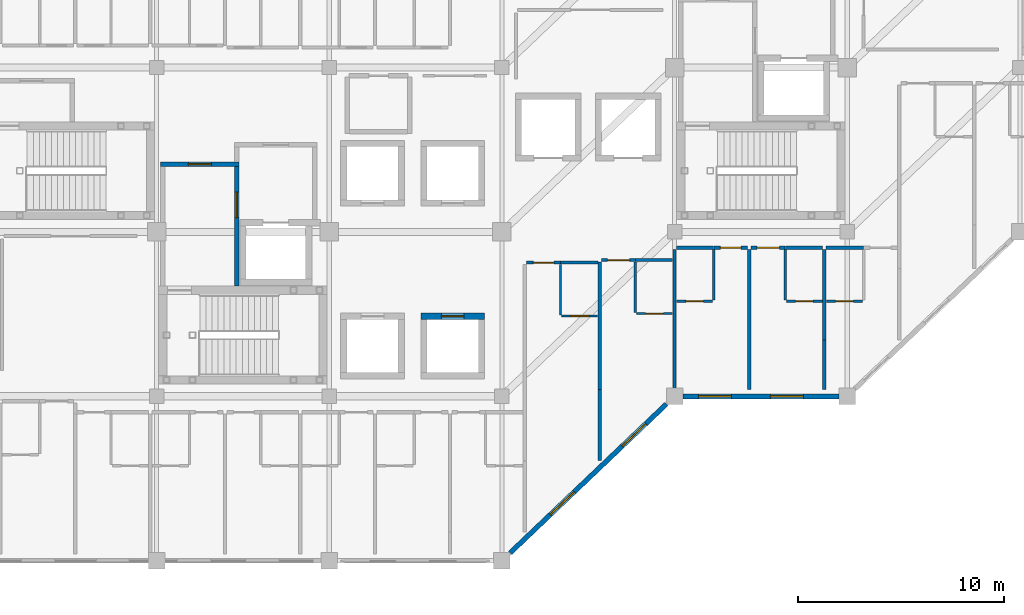
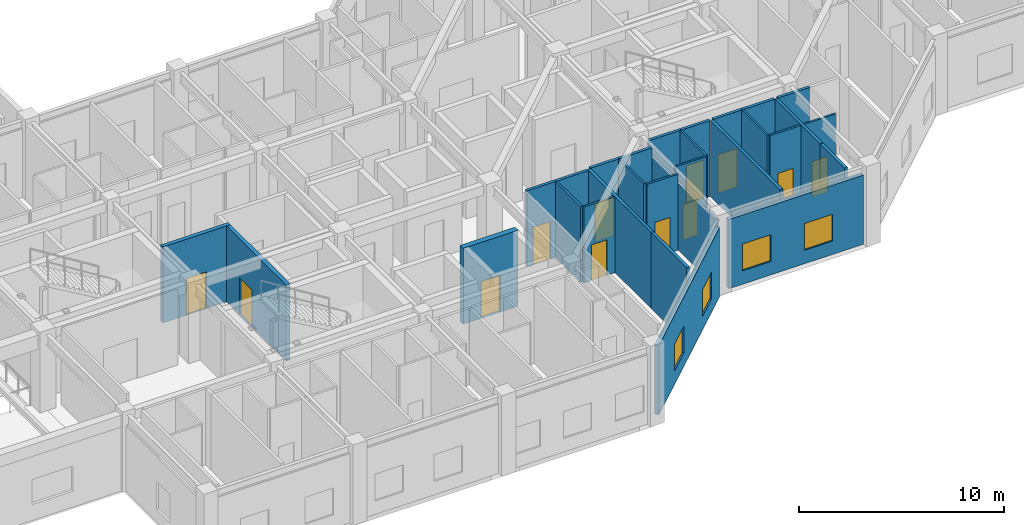
# One storey, part 59 of 76: 29 walls, 12 doors, 4 windows, 16 openings.
"""IFC4 building model written with IfcOpenShell, lengths in metres."""

from ifc_helpers import new_model, si_unit, direction, frame, frame_2d, origin, place, context, subcontext, project, spatial, rectangle, extrude, material, layer, layer_set, type_object, element, fill, save


model = new_model("IFC4")

# Units and contexts
model_context = context("Model", 3, precision=1e-05, world=origin(), true_north=direction((0.0, 1.0)))
body_context = subcontext(model_context, "Body", "Model", "MODEL_VIEW")
ifc_project = project(units=[si_unit("LENGTHUNIT", "METRE"), si_unit("AREAUNIT", "SQUARE_METRE"), si_unit("VOLUMEUNIT", "CUBIC_METRE"), si_unit("PLANEANGLEUNIT", "RADIAN"), si_unit("MASSUNIT", "GRAM", prefix="KILO")], contexts=[model_context])

# Site, building, storey
site_placement = place(None, origin())
site = spatial("IfcSite", under=ifc_project, at=site_placement, CompositionType="ELEMENT")
building_placement = place(site_placement, origin())
building = spatial("IfcBuilding", under=site, at=building_placement, Name="Naruveol Harbour Congress Hotel", CompositionType="ELEMENT")
storey_placement = place(building_placement, frame((0.0, 0.0, 11.39990234375)))
storey = spatial("IfcBuildingStorey", under=building, at=storey_placement, Name="L02", CompositionType="ELEMENT", Elevation=11.39990234375)

# Wall
ifc_material_1 = material(Name="Moisture-Resistant Gypsum Partition", Category="gypsum")
ifc_layer_1 = layer(ifc_material_1, 0.114990234375)
ifc_layer_set_1 = layer_set([ifc_layer_1], Name="Moisture-Resistant Gypsum Partition")
wall_type_1 = type_object("IfcWallType", Name="BATHROOM MOISTURE PARTITION WALL 115", PredefinedType="PARTITIONING", material=ifc_layer_set_1)
wall_1_placement = place(storey_placement, frame((145.64990234375, 11.969970703125, 0.0), z_axis=(0.0, 0.0, 1.0), x_axis=(0.0, 1.0, 0.0)))
element("IfcWall", 1, at=wall_1_placement, inside=storey, type_object=wall_type_1, Name="Bathroom west wall 0308 PW-115", PredefinedType="PARTITIONING", context=body_context, shape_type="SweptSolid", body=[
    extrude(rectangle(XDim=2.449951171875, YDim=0.114990234375, at=frame_2d((1.22509765625, 0.0))), origin(), (0.0, 0.0, 1.0), 4.53515625),
])

# Wall, opening, door
wall_2_placement = place(storey_placement, frame((145.7099609375, 11.909912109375, 0.0), z_axis=(0.0, 0.0, 1.0), x_axis=(1.0, 0.0, 0.0)))
wall_2 = element("IfcWall", 2, at=wall_2_placement, inside=storey, type_object=wall_type_1, Name="Bathroom south wall 0308 PW-115", PredefinedType="PARTITIONING", context=body_context, shape_type="SweptSolid", body=[
    extrude(rectangle(XDim=1.75, YDim=0.114990234375, at=frame_2d((0.875, 0.0))), origin(), (0.0, 0.0, 1.0), 4.53515625),
])
opening_1_placement = place(wall_2_placement, frame((0.445068359375, 0.0, 0.0)))
opening_1 = element("IfcOpeningElement", 3, at=opening_1_placement, cuts=wall_2, Name="Opening BD-RM0308", PredefinedType="OPENING", context=body_context, shape_type="SweptSolid", body=[
    extrude(rectangle(XDim=0.860107421875, YDim=2.1201171875, at=frame_2d((0.43017578125, 1.06005859375))), frame((0.0, 0.0673828125, 0.0), z_axis=(0.0, -1.0, 0.0), x_axis=(1.0, 0.0, 0.0)), (0.0, 0.0, 1.0), 0.135009765625),
])
ifc_material_2 = material(Name="Timber & Steel Acoustic Leaf", Category="steel")
door_type_1 = type_object("IfcDoorType", Name="GUEST BATHROOM DOOR 860X2120", OperationType="NOTDEFINED", PredefinedType="DOOR", material=ifc_material_2)
door_1_placement = place(opening_1_placement, origin())
door_1 = element("IfcDoor", 4, at=door_1_placement, inside=storey, type_object=door_type_1, Name="Bathroom Door 0308", OperationType="SINGLE_SWING_RIGHT", OverallHeight=2.1201171875, OverallWidth=0.860107421875, PredefinedType="DOOR", context=body_context, shape_type="SweptSolid", body=[
    extrude(rectangle(XDim=0.860107421875, YDim=2.1201171875, at=frame_2d((0.43017578125, 1.06005859375))), frame((0.0, 0.02490234375, 0.0), z_axis=(0.0, -1.0, 0.0), x_axis=(1.0, 0.0, 0.0)), (0.0, 0.0, 1.0), 0.050048828125),
])
fill(opening_1, door_1)

# Wall
wall_3_placement = place(storey_placement, frame((149.2900390625, 12.090087890625, 0.0), z_axis=(0.0, 0.0, 1.0), x_axis=(0.0, 1.0, 0.0)))
element("IfcWall", 5, at=wall_3_placement, inside=storey, type_object=wall_type_1, Name="Bathroom west wall 0309 PW-115", PredefinedType="PARTITIONING", context=body_context, shape_type="SweptSolid", body=[
    extrude(rectangle(XDim=2.449951171875, YDim=0.114990234375, at=frame_2d((1.22509765625, 0.0))), origin(), (0.0, 0.0, 1.0), 4.53515625),
])

# Wall, opening, door
wall_4_placement = place(storey_placement, frame((149.35009765625, 12.030029296875, 0.0), z_axis=(0.0, 0.0, 1.0), x_axis=(1.0, 0.0, 0.0)))
wall_4 = element("IfcWall", 6, at=wall_4_placement, inside=storey, type_object=wall_type_1, Name="Bathroom south wall 0309 PW-115", PredefinedType="PARTITIONING", context=body_context, shape_type="SweptSolid", body=[
    extrude(rectangle(XDim=1.75, YDim=0.114990234375, at=frame_2d((0.875, 0.0))), origin(), (0.0, 0.0, 1.0), 4.53515625),
])
opening_2_placement = place(wall_4_placement, frame((0.445068359375, 0.0, 0.0)))
opening_2 = element("IfcOpeningElement", 7, at=opening_2_placement, cuts=wall_4, Name="Opening BD-RM0309", PredefinedType="OPENING", context=body_context, shape_type="SweptSolid", body=[
    extrude(rectangle(XDim=0.860107421875, YDim=2.1201171875, at=frame_2d((0.43017578125, 1.06005859375))), frame((0.0, 0.0673828125, 0.0), z_axis=(0.0, -1.0, 0.0), x_axis=(1.0, 0.0, 0.0)), (0.0, 0.0, 1.0), 0.135009765625),
])
door_2_placement = place(opening_2_placement, origin())
door_2 = element("IfcDoor", 8, at=door_2_placement, inside=storey, type_object=door_type_1, Name="Bathroom Door 0309", OperationType="SINGLE_SWING_RIGHT", OverallHeight=2.1201171875, OverallWidth=0.860107421875, PredefinedType="DOOR", context=body_context, shape_type="SweptSolid", body=[
    extrude(rectangle(XDim=0.860107421875, YDim=2.1201171875, at=frame_2d((0.43017578125, 1.06005859375))), frame((0.0, 0.02490234375, 0.0), z_axis=(0.0, -1.0, 0.0), x_axis=(1.0, 0.0, 0.0)), (0.0, 0.0, 1.0), 0.050048828125),
])
fill(opening_2, door_2)

# Wall
wall_5_placement = place(storey_placement, frame((153.110107421875, 12.68994140625, 0.0), z_axis=(0.0, 0.0, 1.0), x_axis=(0.0, 1.0, 0.0)))
element("IfcWall", 9, at=wall_5_placement, inside=storey, type_object=wall_type_1, Name="Bathroom east wall 0310 PW-115", PredefinedType="PARTITIONING", context=body_context, shape_type="SweptSolid", body=[
    extrude(rectangle(XDim=2.449951171875, YDim=0.114990234375, at=frame_2d((1.22509765625, 0.0))), origin(), (0.0, 0.0, 1.0), 4.53515625),
])

# Wall, opening, door
wall_6_placement = place(storey_placement, frame((151.300048828125, 12.6298828125, 0.0), z_axis=(0.0, 0.0, 1.0), x_axis=(1.0, 0.0, 0.0)))
wall_6 = element("IfcWall", 10, at=wall_6_placement, inside=storey, type_object=wall_type_1, Name="Bathroom south wall 0310 PW-115", PredefinedType="PARTITIONING", context=body_context, shape_type="SweptSolid", body=[
    extrude(rectangle(XDim=1.75, YDim=0.114990234375, at=frame_2d((0.875, 0.0))), origin(), (0.0, 0.0, 1.0), 4.53515625),
])
opening_3_placement = place(wall_6_placement, frame((0.445068359375, 0.0, 0.0)))
opening_3 = element("IfcOpeningElement", 11, at=opening_3_placement, cuts=wall_6, Name="Opening BD-RM0310", PredefinedType="OPENING", context=body_context, shape_type="SweptSolid", body=[
    extrude(rectangle(XDim=0.860107421875, YDim=2.1201171875, at=frame_2d((0.43017578125, 1.06005859375))), frame((0.0, 0.0673828125, 0.0), z_axis=(0.0, -1.0, 0.0), x_axis=(1.0, 0.0, 0.0)), (0.0, 0.0, 1.0), 0.135009765625),
])
door_3_placement = place(opening_3_placement, origin())
door_3 = element("IfcDoor", 12, at=door_3_placement, inside=storey, type_object=door_type_1, Name="Bathroom Door 0310", OperationType="SINGLE_SWING_RIGHT", OverallHeight=2.1201171875, OverallWidth=0.860107421875, PredefinedType="DOOR", context=body_context, shape_type="SweptSolid", body=[
    extrude(rectangle(XDim=0.860107421875, YDim=2.1201171875, at=frame_2d((0.43017578125, 1.06005859375))), frame((0.0, 0.02490234375, 0.0), z_axis=(0.0, -1.0, 0.0), x_axis=(1.0, 0.0, 0.0)), (0.0, 0.0, 1.0), 0.050048828125),
])
fill(opening_3, door_3)

# Wall
wall_7_placement = place(storey_placement, frame((156.580078125, 12.68994140625, 0.0), z_axis=(0.0, 0.0, 1.0), x_axis=(0.0, 1.0, 0.0)))
element("IfcWall", 13, at=wall_7_placement, inside=storey, type_object=wall_type_1, Name="Bathroom west wall 0311 PW-115", PredefinedType="PARTITIONING", context=body_context, shape_type="SweptSolid", body=[
    extrude(rectangle(XDim=2.449951171875, YDim=0.114990234375, at=frame_2d((1.22509765625, 0.0))), origin(), (0.0, 0.0, 1.0), 4.53515625),
])

# Wall, opening, door
wall_8_placement = place(storey_placement, frame((156.639892578125, 12.6298828125, 0.0), z_axis=(0.0, 0.0, 1.0), x_axis=(1.0, 0.0, 0.0)))
wall_8 = element("IfcWall", 14, at=wall_8_placement, inside=storey, type_object=wall_type_1, Name="Bathroom south wall 0311 PW-115", PredefinedType="PARTITIONING", context=body_context, shape_type="SweptSolid", body=[
    extrude(rectangle(XDim=1.75, YDim=0.114990234375, at=frame_2d((0.875, 0.0))), origin(), (0.0, 0.0, 1.0), 4.53515625),
])
opening_4_placement = place(wall_8_placement, frame((0.445068359375, 0.0, 0.0)))
opening_4 = element("IfcOpeningElement", 15, at=opening_4_placement, cuts=wall_8, Name="Opening BD-RM0311", PredefinedType="OPENING", context=body_context, shape_type="SweptSolid", body=[
    extrude(rectangle(XDim=0.860107421875, YDim=2.1201171875, at=frame_2d((0.43017578125, 1.06005859375))), frame((0.0, 0.0673828125, 0.0), z_axis=(0.0, -1.0, 0.0), x_axis=(1.0, 0.0, 0.0)), (0.0, 0.0, 1.0), 0.135009765625),
])
door_4_placement = place(opening_4_placement, origin())
door_4 = element("IfcDoor", 16, at=door_4_placement, inside=storey, type_object=door_type_1, Name="Bathroom Door 0311", OperationType="SINGLE_SWING_RIGHT", OverallHeight=2.1201171875, OverallWidth=0.860107421875, PredefinedType="DOOR", context=body_context, shape_type="SweptSolid", body=[
    extrude(rectangle(XDim=0.860107421875, YDim=2.1201171875, at=frame_2d((0.43017578125, 1.06005859375))), frame((0.0, 0.02490234375, 0.0), z_axis=(0.0, -1.0, 0.0), x_axis=(1.0, 0.0, 0.0)), (0.0, 0.0, 1.0), 0.050048828125),
])
fill(opening_4, door_4)

wall_9_placement = place(storey_placement, frame((158.590087890625, 12.6298828125, 0.0), z_axis=(0.0, 0.0, 1.0), x_axis=(1.0, 0.0, 0.0)))
wall_9 = element("IfcWall", 17, at=wall_9_placement, inside=storey, type_object=wall_type_1, Name="Bathroom south wall 0312 PW-115", PredefinedType="PARTITIONING", context=body_context, shape_type="SweptSolid", body=[
    extrude(rectangle(XDim=1.75, YDim=0.114990234375, at=frame_2d((0.875, 0.0))), origin(), (0.0, 0.0, 1.0), 4.53515625),
])
opening_5_placement = place(wall_9_placement, frame((0.445068359375, 0.0, 0.0)))
opening_5 = element("IfcOpeningElement", 18, at=opening_5_placement, cuts=wall_9, Name="Opening BD-RM0312", PredefinedType="OPENING", context=body_context, shape_type="SweptSolid", body=[
    extrude(rectangle(XDim=0.860107421875, YDim=2.1201171875, at=frame_2d((0.43017578125, 1.06005859375))), frame((0.0, 0.0673828125, 0.0), z_axis=(0.0, -1.0, 0.0), x_axis=(1.0, 0.0, 0.0)), (0.0, 0.0, 1.0), 0.135009765625),
])
door_5_placement = place(opening_5_placement, origin())
door_5 = element("IfcDoor", 19, at=door_5_placement, inside=storey, type_object=door_type_1, Name="Bathroom Door 0312", OperationType="SINGLE_SWING_RIGHT", OverallHeight=2.1201171875, OverallWidth=0.860107421875, PredefinedType="DOOR", context=body_context, shape_type="SweptSolid", body=[
    extrude(rectangle(XDim=0.860107421875, YDim=2.1201171875, at=frame_2d((0.43017578125, 1.06005859375))), frame((0.0, 0.02490234375, 0.0), z_axis=(0.0, -1.0, 0.0), x_axis=(1.0, 0.0, 0.0)), (0.0, 0.0, 1.0), 0.050048828125),
])
fill(opening_5, door_5)

ifc_material_3 = material(Name="Concrete C40/50", Category="concrete")
ifc_layer_2 = layer(ifc_material_3, 0.219970703125)
ifc_layer_set_2 = layer_set([ifc_layer_2], Name="Concrete C40/50")
wall_type_2 = type_object("IfcWallType", Name="FIRE COMPARTMENT AND LOBBY WALL 220 EI120", PredefinedType="PARTITIONING", material=ifc_layer_set_2)
wall_10_placement = place(storey_placement, frame((126.18994140625, 19.300048828125, 0.0), z_axis=(0.0, 0.0, 1.0), x_axis=(1.0, 0.0, 0.0)))
wall_10 = element("IfcWall", 20, at=wall_10_placement, inside=storey, type_object=wall_type_2, Name="Smoke vestibule ST1 north wall FW-220", PredefinedType="PARTITIONING", context=body_context, shape_type="SweptSolid", body=[
    extrude(rectangle(XDim=3.820068359375, YDim=0.219970703125, at=frame_2d((1.91015625, 0.0))), origin(), (0.0, 0.0, 1.0), 4.53515625),
])
opening_6_placement = place(wall_10_placement, frame((1.35009765625, 0.0, 0.0)))
opening_6 = element("IfcOpeningElement", 21, at=opening_6_placement, cuts=wall_10, Name="Opening FD-ST1-V-L02", PredefinedType="OPENING", context=body_context, shape_type="SweptSolid", body=[
    extrude(rectangle(XDim=1.1201171875, YDim=2.199951171875, at=frame_2d((0.56005859375, 1.10009765625))), frame((0.0, 0.119873046875, 0.0), z_axis=(0.0, -1.0, 0.0), x_axis=(1.0, 0.0, 0.0)), (0.0, 0.0, 1.0), 0.239990234375),
])
ifc_material_4 = material(Name="Timber & Steel Acoustic Leaf", Category="steel")
door_type_2 = type_object("IfcDoorType", Name="VESTIBULE SMOKE CONTROL FIRE DOOR 1120X2200", OperationType="NOTDEFINED", PredefinedType="DOOR", material=ifc_material_4)
door_6_placement = place(opening_6_placement, origin())
door_6 = element("IfcDoor", 22, at=door_6_placement, inside=storey, type_object=door_type_2, Name="Smoke Vestibule Entry Door ST1 L02", OperationType="SINGLE_SWING_LEFT", OverallHeight=2.199951171875, OverallWidth=1.1201171875, PredefinedType="DOOR", context=body_context, shape_type="SweptSolid", body=[
    extrude(rectangle(XDim=1.1201171875, YDim=2.199951171875, at=frame_2d((0.56005859375, 1.10009765625))), frame((0.0, 0.02490234375, 0.0), z_axis=(0.0, -1.0, 0.0), x_axis=(1.0, 0.0, 0.0)), (0.0, 0.0, 1.0), 0.050048828125),
])
fill(opening_6, door_6)

wall_11_placement = place(storey_placement, frame((129.89990234375, 13.364990234375, 0.0), z_axis=(0.0, 0.0, 1.0), x_axis=(0.0, 1.0, 0.0)))
wall_11 = element("IfcWall", 23, at=wall_11_placement, inside=storey, type_object=wall_type_2, Name="Smoke vestibule ST1 east wall FW-220", PredefinedType="PARTITIONING", context=body_context, shape_type="SweptSolid", body=[
    extrude(rectangle(XDim=5.820068359375, YDim=0.219970703125, at=frame_2d((2.91015625, 0.0))), origin(), (0.0, 0.0, 1.0), 4.53515625),
])
opening_7_placement = place(wall_11_placement, frame((3.3349609375, 0.0, 0.0)))
opening_7 = element("IfcOpeningElement", 24, at=opening_7_placement, cuts=wall_11, Name="Opening FD-FFL-ST1-L02", PredefinedType="OPENING", context=body_context, shape_type="SweptSolid", body=[
    extrude(rectangle(XDim=1.239990234375, YDim=2.199951171875, at=frame_2d((0.6201171875, 1.10009765625))), frame((0.0, 0.119873046875, 0.0), z_axis=(0.0, -1.0, 0.0), x_axis=(1.0, 0.0, 0.0)), (0.0, 0.0, 1.0), 0.239990234375),
])
ifc_material_5 = material(Name="Timber & Steel Acoustic Leaf", Category="steel")
door_type_3 = type_object("IfcDoorType", Name="FIREFIGHTING LOBBY FIRE DOOR 1240X2200", OperationType="NOTDEFINED", PredefinedType="DOOR", material=ifc_material_5)
door_7_placement = place(opening_7_placement, origin())
door_7 = element("IfcDoor", 25, at=door_7_placement, inside=storey, type_object=door_type_3, Name="Firefighting Lobby Vestibule Door ST1 L02", OperationType="SINGLE_SWING_RIGHT", OverallHeight=2.199951171875, OverallWidth=1.239990234375, PredefinedType="DOOR", context=body_context, shape_type="SweptSolid", body=[
    extrude(rectangle(XDim=1.239990234375, YDim=2.199951171875, at=frame_2d((0.6201171875, 1.10009765625))), frame((0.0, 0.02490234375, 0.0), z_axis=(0.0, -1.0, 0.0), x_axis=(1.0, 0.0, 0.0)), (0.0, 0.0, 1.0), 0.050048828125),
])
fill(opening_7, door_7)

ifc_material_6 = material(Name="Autoclaved Aerated Concrete Block", Category="concrete")
ifc_layer_3 = layer(ifc_material_6, 0.159912109375)
ifc_layer_set_3 = layer_set([ifc_layer_3], Name="Autoclaved Aerated Concrete Block")
wall_type_3 = type_object("IfcWallType", Name="HOTEL PARTY AND CORRIDOR WALL 160 EI60", PredefinedType="PARTITIONING", material=ifc_layer_set_3)
wall_12_placement = place(storey_placement, frame((144.0, 14.510009765625, 0.0), z_axis=(0.0, 0.0, 1.0), x_axis=(1.0, 0.0, 0.0)))
wall_12 = element("IfcWall", 26, at=wall_12_placement, inside=storey, type_object=wall_type_3, Name="Corridor entry wall 0308 PW-160", PredefinedType="PARTITIONING", context=body_context, shape_type="SweptSolid", body=[
    extrude(rectangle(XDim=1.64990234375, YDim=0.159912109375, at=frame_2d((0.824951171875, 0.0))), origin(), (0.0, 0.0, 1.0), 4.53515625),
])
opening_8_placement = place(wall_12_placement, frame((0.324951171875, 0.0, 0.0)))
opening_8 = element("IfcOpeningElement", 27, at=opening_8_placement, cuts=wall_12, Name="Opening FD-RM0308", PredefinedType="OPENING", context=body_context, shape_type="SweptSolid", body=[
    extrude(rectangle(XDim=1.0, YDim=2.25, at=frame_2d((0.5, 1.125))), frame((0.0, 0.08984375, 0.0), z_axis=(0.0, -1.0, 0.0), x_axis=(1.0, 0.0, 0.0)), (0.0, 0.0, 1.0), 0.179931640625),
])
ifc_material_7 = material(Name="Timber & Steel Acoustic Leaf", Category="steel")
door_type_4 = type_object("IfcDoorType", Name="DELUXE GUEST ENTRANCE FIRE DOOR 1000X2250", OperationType="NOTDEFINED", PredefinedType="DOOR", material=ifc_material_7)
door_8_placement = place(opening_8_placement, origin())
door_8 = element("IfcDoor", 28, at=door_8_placement, inside=storey, type_object=door_type_4, Name="Hotel Room Door 0308", OperationType="SINGLE_SWING_LEFT", OverallHeight=2.25, OverallWidth=1.0, PredefinedType="DOOR", context=body_context, shape_type="SweptSolid", body=[
    extrude(rectangle(XDim=1.0, YDim=2.25, at=frame_2d((0.5, 1.125))), frame((0.0, 0.02490234375, 0.0), z_axis=(0.0, -1.0, 0.0), x_axis=(1.0, 0.0, 0.0)), (0.0, 0.0, 1.0), 0.050048828125),
])
fill(opening_8, door_8)

# Walls
wall_13_placement = place(storey_placement, frame((145.659912109375, 14.510009765625, 0.0), z_axis=(0.0, 0.0, 1.0), x_axis=(1.0, 0.0, 0.0)))
element("IfcWall", 29, at=wall_13_placement, inside=storey, type_object=wall_type_3, Name="Corridor wall 0308B PW-160", PredefinedType="PARTITIONING", context=body_context, shape_type="SweptSolid", body=[
    extrude(rectangle(XDim=1.81005859375, YDim=0.159912109375, at=frame_2d((0.905029296875, 0.0))), origin(), (0.0, 0.0, 1.0), 4.53515625),
])
wall_14_placement = place(storey_placement, frame((147.56005859375, 4.8701171875, 0.0), z_axis=(0.0, 0.0, 1.0), x_axis=(0.0, 1.0, 0.0)))
element("IfcWall", 30, at=wall_14_placement, inside=storey, type_object=wall_type_3, Name="Hotel end party wall 0308 PW-160", PredefinedType="PARTITIONING", context=body_context, shape_type="SweptSolid", body=[
    extrude(rectangle(XDim=3.4599609375, YDim=0.159912109375, at=frame_2d((1.72998046875, 0.0))), origin(), (0.0, 0.0, 1.0), 4.53515625),
])

# Wall, opening, door
wall_15_placement = place(storey_placement, frame((147.64990234375, 14.6298828125, 0.0), z_axis=(0.0, 0.0, 1.0), x_axis=(1.0, 0.0, 0.0)))
wall_15 = element("IfcWall", 31, at=wall_15_placement, inside=storey, type_object=wall_type_3, Name="Corridor entry wall 0309 PW-160", PredefinedType="PARTITIONING", context=body_context, shape_type="SweptSolid", body=[
    extrude(rectangle(XDim=1.64013671875, YDim=0.159912109375, at=frame_2d((0.820068359375, 0.0))), origin(), (0.0, 0.0, 1.0), 4.53515625),
])
opening_9_placement = place(wall_15_placement, frame((0.280029296875, 0.0, 0.0)))
opening_9 = element("IfcOpeningElement", 32, at=opening_9_placement, cuts=wall_15, Name="Opening FD-RM0309", PredefinedType="OPENING", context=body_context, shape_type="SweptSolid", body=[
    extrude(rectangle(XDim=1.080078125, YDim=2.300048828125, at=frame_2d((0.5400390625, 1.14990234375))), frame((0.0, 0.08984375, 0.0), z_axis=(0.0, -1.0, 0.0), x_axis=(1.0, 0.0, 0.0)), (0.0, 0.0, 1.0), 0.179931640625),
])
ifc_material_8 = material(Name="Timber & Steel Acoustic Leaf", Category="steel")
door_type_5 = type_object("IfcDoorType", Name="SUITE ENTRANCE FIRE DOOR 1080X2300", OperationType="NOTDEFINED", PredefinedType="DOOR", material=ifc_material_8)
door_9_placement = place(opening_9_placement, origin())
door_9 = element("IfcDoor", 33, at=door_9_placement, inside=storey, type_object=door_type_5, Name="Hotel Room Door 0309", OperationType="SINGLE_SWING_LEFT", OverallHeight=2.300048828125, OverallWidth=1.080078125, PredefinedType="DOOR", context=body_context, shape_type="SweptSolid", body=[
    extrude(rectangle(XDim=1.080078125, YDim=2.300048828125, at=frame_2d((0.5400390625, 1.14990234375))), frame((0.0, 0.02490234375, 0.0), z_axis=(0.0, -1.0, 0.0), x_axis=(1.0, 0.0, 0.0)), (0.0, 0.0, 1.0), 0.050048828125),
])
fill(opening_9, door_9)

# Walls
wall_16_placement = place(storey_placement, frame((149.300048828125, 14.6298828125, 0.0), z_axis=(0.0, 0.0, 1.0), x_axis=(1.0, 0.0, 0.0)))
element("IfcWall", 34, at=wall_16_placement, inside=storey, type_object=wall_type_3, Name="Corridor wall 0309B PW-160", PredefinedType="PARTITIONING", context=body_context, shape_type="SweptSolid", body=[
    extrude(rectangle(XDim=1.81005859375, YDim=0.159912109375, at=frame_2d((0.905029296875, 0.0))), origin(), (0.0, 0.0, 1.0), 4.53515625),
])
wall_17_placement = place(storey_placement, frame((147.56005859375, 8.340087890625, 0.0), z_axis=(0.0, 0.0, 1.0), x_axis=(0.0, 1.0, 0.0)))
element("IfcWall", 35, at=wall_17_placement, inside=storey, type_object=wall_type_3, Name="Hotel party wall 0309 PW-160", PredefinedType="PARTITIONING", context=body_context, shape_type="SweptSolid", body=[
    extrude(rectangle(XDim=6.199951171875, YDim=0.159912109375, at=frame_2d((3.10009765625, 0.0))), origin(), (0.0, 0.0, 1.0), 4.53515625),
])
wall_18_placement = place(storey_placement, frame((151.2900390625, 15.22998046875, 0.0), z_axis=(0.0, 0.0, 1.0), x_axis=(1.0, 0.0, 0.0)))
element("IfcWall", 36, at=wall_18_placement, inside=storey, type_object=wall_type_3, Name="Corridor wall 0310B PW-160", PredefinedType="PARTITIONING", context=body_context, shape_type="SweptSolid", body=[
    extrude(rectangle(XDim=1.81005859375, YDim=0.159912109375, at=frame_2d((0.905029296875, 0.0))), origin(), (0.0, 0.0, 1.0), 4.53515625),
])

# Wall, opening, door
wall_19_placement = place(storey_placement, frame((153.110107421875, 15.22998046875, 0.0), z_axis=(0.0, 0.0, 1.0), x_axis=(1.0, 0.0, 0.0)))
wall_19 = element("IfcWall", 37, at=wall_19_placement, inside=storey, type_object=wall_type_3, Name="Corridor entry wall 0310 PW-160", PredefinedType="PARTITIONING", context=body_context, shape_type="SweptSolid", body=[
    extrude(rectangle(XDim=1.639892578125, YDim=0.159912109375, at=frame_2d((0.81982421875, 0.0))), origin(), (0.0, 0.0, 1.0), 4.53515625),
])
opening_10_placement = place(wall_19_placement, frame((0.320068359375, 0.0, 0.0)))
opening_10 = element("IfcOpeningElement", 38, at=opening_10_placement, cuts=wall_19, Name="Opening FD-RM0310", PredefinedType="OPENING", context=body_context, shape_type="SweptSolid", body=[
    extrude(rectangle(XDim=1.0, YDim=2.25, at=frame_2d((0.5, 1.125))), frame((0.0, 0.08984375, 0.0), z_axis=(0.0, -1.0, 0.0), x_axis=(1.0, 0.0, 0.0)), (0.0, 0.0, 1.0), 0.179931640625),
])
door_10_placement = place(opening_10_placement, origin())
door_10 = element("IfcDoor", 39, at=door_10_placement, inside=storey, type_object=door_type_4, Name="Hotel Room Door 0310", OperationType="SINGLE_SWING_LEFT", OverallHeight=2.25, OverallWidth=1.0, PredefinedType="DOOR", context=body_context, shape_type="SweptSolid", body=[
    extrude(rectangle(XDim=1.0, YDim=2.25, at=frame_2d((0.5, 1.125))), frame((0.0, 0.02490234375, 0.0), z_axis=(0.0, -1.0, 0.0), x_axis=(1.0, 0.0, 0.0)), (0.0, 0.0, 1.0), 0.050048828125),
])
fill(opening_10, door_10)

# Wall
wall_20_placement = place(storey_placement, frame((151.199951171875, 8.340087890625, 0.0), z_axis=(0.0, 0.0, 1.0), x_axis=(0.0, 1.0, 0.0)))
element("IfcWall", 40, at=wall_20_placement, inside=storey, type_object=wall_type_3, Name="Hotel party wall 0310 PW-160", PredefinedType="PARTITIONING", context=body_context, shape_type="SweptSolid", body=[
    extrude(rectangle(XDim=6.7998046875, YDim=0.159912109375, at=frame_2d((3.39990234375, 0.0))), origin(), (0.0, 0.0, 1.0), 3.97998046875),
])

# Wall, opening, door
wall_21_placement = place(storey_placement, frame((154.929931640625, 15.22998046875, 0.0), z_axis=(0.0, 0.0, 1.0), x_axis=(1.0, 0.0, 0.0)))
wall_21 = element("IfcWall", 41, at=wall_21_placement, inside=storey, type_object=wall_type_3, Name="Corridor entry wall 0311 PW-160", PredefinedType="PARTITIONING", context=body_context, shape_type="SweptSolid", body=[
    extrude(rectangle(XDim=1.650146484375, YDim=0.159912109375, at=frame_2d((0.8251953125, 0.0))), origin(), (0.0, 0.0, 1.0), 4.53515625),
])
opening_11_placement = place(wall_21_placement, frame((0.284912109375, 0.0, 0.0)))
opening_11 = element("IfcOpeningElement", 42, at=opening_11_placement, cuts=wall_21, Name="Opening FD-RM0311", PredefinedType="OPENING", context=body_context, shape_type="SweptSolid", body=[
    extrude(rectangle(XDim=1.080078125, YDim=2.300048828125, at=frame_2d((0.5400390625, 1.14990234375))), frame((0.0, 0.08984375, 0.0), z_axis=(0.0, -1.0, 0.0), x_axis=(1.0, 0.0, 0.0)), (0.0, 0.0, 1.0), 0.179931640625),
])
door_11_placement = place(opening_11_placement, origin())
door_11 = element("IfcDoor", 43, at=door_11_placement, inside=storey, type_object=door_type_5, Name="Hotel Room Door 0311", OperationType="SINGLE_SWING_LEFT", OverallHeight=2.300048828125, OverallWidth=1.080078125, PredefinedType="DOOR", context=body_context, shape_type="SweptSolid", body=[
    extrude(rectangle(XDim=1.080078125, YDim=2.300048828125, at=frame_2d((0.5400390625, 1.14990234375))), frame((0.0, 0.02490234375, 0.0), z_axis=(0.0, -1.0, 0.0), x_axis=(1.0, 0.0, 0.0)), (0.0, 0.0, 1.0), 0.050048828125),
])
fill(opening_11, door_11)

# Walls
wall_22_placement = place(storey_placement, frame((156.590087890625, 15.22998046875, 0.0), z_axis=(0.0, 0.0, 1.0), x_axis=(1.0, 0.0, 0.0)))
element("IfcWall", 44, at=wall_22_placement, inside=storey, type_object=wall_type_3, Name="Corridor wall 0311B PW-160", PredefinedType="PARTITIONING", context=body_context, shape_type="SweptSolid", body=[
    extrude(rectangle(XDim=1.809814453125, YDim=0.159912109375, at=frame_2d((0.90478515625, 0.0))), origin(), (0.0, 0.0, 1.0), 4.53515625),
])
wall_23_placement = place(storey_placement, frame((154.840087890625, 8.340087890625, 0.0), z_axis=(0.0, 0.0, 1.0), x_axis=(0.0, 1.0, 0.0)))
element("IfcWall", 45, at=wall_23_placement, inside=storey, type_object=wall_type_3, Name="Hotel party wall 0311 PW-160", PredefinedType="PARTITIONING", context=body_context, shape_type="SweptSolid", body=[
    extrude(rectangle(XDim=6.7998046875, YDim=0.159912109375, at=frame_2d((3.39990234375, 0.0))), origin(), (0.0, 0.0, 1.0), 4.53515625),
])
wall_24_placement = place(storey_placement, frame((158.489990234375, 8.340087890625, 0.0), z_axis=(0.0, 0.0, 1.0), x_axis=(0.0, 1.0, 0.0)))
element("IfcWall", 46, at=wall_24_placement, inside=storey, type_object=wall_type_3, Name="Hotel end party wall 0311 PW-160", PredefinedType="PARTITIONING", context=body_context, shape_type="SweptSolid", body=[
    extrude(rectangle(XDim=2.39990234375, YDim=0.159912109375, at=frame_2d((1.199951171875, 0.0))), origin(), (0.0, 0.0, 1.0), 4.53515625),
])
wall_25_placement = place(storey_placement, frame((158.580078125, 15.22998046875, 0.0), z_axis=(0.0, 0.0, 1.0), x_axis=(1.0, 0.0, 0.0)))
element("IfcWall", 47, at=wall_25_placement, inside=storey, type_object=wall_type_3, Name="Corridor wall 0312B PW-160", PredefinedType="PARTITIONING", context=body_context, shape_type="SweptSolid", body=[
    extrude(rectangle(XDim=1.809814453125, YDim=0.159912109375, at=frame_2d((0.90478515625, 0.0))), origin(), (0.0, 0.0, 1.0), 4.53515625),
])
wall_26_placement = place(storey_placement, frame((158.489990234375, 10.75, 0.0), z_axis=(0.0, 0.0, 1.0), x_axis=(0.0, 1.0, 0.0)))
element("IfcWall", 48, at=wall_26_placement, inside=storey, type_object=wall_type_3, Name="Hotel party wall 0312 PW-160", PredefinedType="PARTITIONING", context=body_context, shape_type="SweptSolid", body=[
    extrude(rectangle(XDim=4.389892578125, YDim=0.159912109375, at=frame_2d((2.19482421875, 0.0))), origin(), (0.0, 0.0, 1.0), 4.53515625),
])

# Wall, openings, windows
ifc_material_9 = material(Name="Concrete C40/50", Category="concrete")
ifc_layer_4 = layer(ifc_material_9, 0.239990234375)
ifc_layer_set_4 = layer_set([ifc_layer_4], Name="Concrete C40/50")
wall_type_4 = type_object("IfcWallType", Name="INSULATED HOTEL SPANDREL WALL 240", PredefinedType="SOLIDWALL", material=ifc_layer_set_4)
wall_27_placement = place(storey_placement, frame((150.800048828125, 7.618896484375, 0.0), z_axis=(0.0, 0.0, 1.0), x_axis=(-0.724156739794, -0.689635422677, 0.0)))
wall_27 = element("IfcWall", 49, at=wall_27_placement, inside=storey, type_object=wall_type_4, Name="Hotel south waterfront wall L02 EW-240", PredefinedType="SOLIDWALL", context=body_context, shape_type="SweptSolid", body=[
    extrude(rectangle(XDim=10.4951171875, YDim=0.239990234375, at=frame_2d((5.24755859375, 0.0))), origin(), (0.0, 0.0, 1.0), 4.130126953125),
])
opening_12_placement = place(wall_27_placement, frame((1.367919921875, 0.0, 0.800048828125)))
opening_12 = element("IfcOpeningElement", 50, at=opening_12_placement, cuts=wall_27, Name="Opening W-03", PredefinedType="OPENING", context=body_context, shape_type="SweptSolid", body=[
    extrude(rectangle(XDim=1.60009765625, YDim=1.60009765625, at=frame_2d((0.800048828125, 0.800048828125))), frame((0.0, 0.1298828125, 0.0), z_axis=(0.0, -1.0, 0.0), x_axis=(1.0, 0.0, 0.0)), (0.0, 0.0, 1.0), 0.260009765625),
])
opening_13_placement = place(wall_27_placement, frame((6.194091796875, 0.0, 0.800048828125)))
opening_13 = element("IfcOpeningElement", 51, at=opening_13_placement, cuts=wall_27, Name="Opening W-03", PredefinedType="OPENING", context=body_context, shape_type="SweptSolid", body=[
    extrude(rectangle(XDim=1.60009765625, YDim=1.60009765625, at=frame_2d((0.800048828125, 0.800048828125))), frame((0.0, 0.1298828125, 0.0), z_axis=(0.0, -1.0, 0.0), x_axis=(1.0, 0.0, 0.0)), (0.0, 0.0, 1.0), 0.260009765625),
])
ifc_material_10 = material(Name="Low-E Triple Glazing in Thermal Aluminium", Category="aluminium")
window_type = type_object("IfcWindowType", Name="DELUXE GUEST WINDOW 1600X1600", PartitioningType="SINGLE_PANEL", PredefinedType="WINDOW", material=ifc_material_10)
window_1_placement = place(opening_12_placement, origin())
window_1 = element("IfcWindow", 52, at=window_1_placement, inside=storey, type_object=window_type, Name="Window W-03 #198", OverallHeight=1.60009765625, OverallWidth=1.60009765625, PartitioningType="SINGLE_PANEL", PredefinedType="WINDOW", context=body_context, shape_type="SweptSolid", body=[
    extrude(rectangle(XDim=1.60009765625, YDim=1.60009765625, at=frame_2d((0.800048828125, 0.800048828125))), frame((0.0, 0.030029296875, 0.0), z_axis=(0.0, -1.0, 0.0), x_axis=(1.0, 0.0, 0.0)), (0.0, 0.0, 1.0), 0.06005859375),
])
fill(opening_12, window_1)
window_2_placement = place(opening_13_placement, origin())
window_2 = element("IfcWindow", 53, at=window_2_placement, inside=storey, type_object=window_type, Name="Window W-03 #199", OverallHeight=1.60009765625, OverallWidth=1.60009765625, PartitioningType="SINGLE_PANEL", PredefinedType="WINDOW", context=body_context, shape_type="SweptSolid", body=[
    extrude(rectangle(XDim=1.60009765625, YDim=1.60009765625, at=frame_2d((0.800048828125, 0.800048828125))), frame((0.0, 0.030029296875, 0.0), z_axis=(0.0, -1.0, 0.0), x_axis=(1.0, 0.0, 0.0)), (0.0, 0.0, 1.0), 0.06005859375),
])
fill(opening_13, window_2)

wall_28_placement = place(storey_placement, frame((159.199951171875, 8.0, 0.0), z_axis=(0.0, 0.0, 1.0), x_axis=(-1.0, 0.0, 0.0)))
wall_28 = element("IfcWall", 54, at=wall_28_placement, inside=storey, type_object=wall_type_4, Name="Hotel south waterfront wall L02 EW-240", PredefinedType="SOLIDWALL", context=body_context, shape_type="SweptSolid", body=[
    extrude(rectangle(XDim=7.599853515625, YDim=0.239990234375, at=frame_2d((3.7998046875, 0.0))), origin(), (0.0, 0.0, 1.0), 4.130126953125),
])
opening_14_placement = place(wall_28_placement, frame((1.735107421875, 0.0, 0.800048828125)))
opening_14 = element("IfcOpeningElement", 55, at=opening_14_placement, cuts=wall_28, Name="Opening W-03", PredefinedType="OPENING", context=body_context, shape_type="SweptSolid", body=[
    extrude(rectangle(XDim=1.60009765625, YDim=1.60009765625, at=frame_2d((0.800048828125, 0.800048828125))), frame((0.0, 0.1298828125, 0.0), z_axis=(0.0, -1.0, 0.0), x_axis=(1.0, 0.0, 0.0)), (0.0, 0.0, 1.0), 0.260009765625),
])
opening_15_placement = place(wall_28_placement, frame((5.22998046875, 0.0, 0.800048828125)))
opening_15 = element("IfcOpeningElement", 56, at=opening_15_placement, cuts=wall_28, Name="Opening W-03", PredefinedType="OPENING", context=body_context, shape_type="SweptSolid", body=[
    extrude(rectangle(XDim=1.60009765625, YDim=1.60009765625, at=frame_2d((0.800048828125, 0.800048828125))), frame((0.0, 0.1298828125, 0.0), z_axis=(0.0, -1.0, 0.0), x_axis=(1.0, 0.0, 0.0)), (0.0, 0.0, 1.0), 0.260009765625),
])
window_3_placement = place(opening_14_placement, origin())
window_3 = element("IfcWindow", 57, at=window_3_placement, inside=storey, type_object=window_type, Name="Window W-03 #202", OverallHeight=1.60009765625, OverallWidth=1.60009765625, PartitioningType="SINGLE_PANEL", PredefinedType="WINDOW", context=body_context, shape_type="SweptSolid", body=[
    extrude(rectangle(XDim=1.60009765625, YDim=1.60009765625, at=frame_2d((0.800048828125, 0.800048828125))), frame((0.0, 0.030029296875, 0.0), z_axis=(0.0, -1.0, 0.0), x_axis=(1.0, 0.0, 0.0)), (0.0, 0.0, 1.0), 0.06005859375),
])
fill(opening_14, window_3)
window_4_placement = place(opening_15_placement, origin())
window_4 = element("IfcWindow", 58, at=window_4_placement, inside=storey, type_object=window_type, Name="Window W-03 #203", OverallHeight=1.60009765625, OverallWidth=1.60009765625, PartitioningType="SINGLE_PANEL", PredefinedType="WINDOW", context=body_context, shape_type="SweptSolid", body=[
    extrude(rectangle(XDim=1.60009765625, YDim=1.60009765625, at=frame_2d((0.800048828125, 0.800048828125))), frame((0.0, 0.030029296875, 0.0), z_axis=(0.0, -1.0, 0.0), x_axis=(1.0, 0.0, 0.0)), (0.0, 0.0, 1.0), 0.06005859375),
])
fill(opening_15, window_4)

# Wall, opening, door
ifc_material_11 = material(Name="Concrete C50/60", Category="concrete")
ifc_layer_5 = layer(ifc_material_11, 0.300048828125)
ifc_layer_set_5 = layer_set([ifc_layer_5], Name="Concrete C50/60")
wall_type_5 = type_object("IfcWallType", Name="RC STAIR AND HOISTWAY SHEAR WALL 300 EI120", PredefinedType="SHEAR", material=ifc_layer_set_5)
wall_29_placement = place(storey_placement, frame((141.949951171875, 11.89990234375, 0.0), z_axis=(0.0, 0.0, 1.0), x_axis=(-1.0, 0.0, 0.0)))
wall_29 = element("IfcWall", 59, at=wall_29_placement, inside=storey, type_object=wall_type_5, Name="Hoistway north shear wall PL4 SW-300", PredefinedType="SHEAR", context=body_context, shape_type="SweptSolid", body=[
    extrude(rectangle(XDim=3.099853515625, YDim=0.300048828125, at=frame_2d((1.5498046875, 0.0))), origin(), (0.0, 0.0, 1.0), 4.53515625),
])
opening_16_placement = place(wall_29_placement, frame((1.0, 0.0, 0.0)))
opening_16 = element("IfcOpeningElement", 60, at=opening_16_placement, cuts=wall_29, Name="Opening LD-PL4-L02", PredefinedType="OPENING", context=body_context, shape_type="SweptSolid", body=[
    extrude(rectangle(XDim=1.10009765625, YDim=2.199951171875, at=frame_2d((0.550048828125, 1.10009765625))), frame((0.0, 0.159912109375, 0.0), z_axis=(0.0, -1.0, 0.0), x_axis=(1.0, 0.0, 0.0)), (0.0, 0.0, 1.0), 0.320068359375),
])
ifc_material_12 = material(Name="Stainless Steel Lift Door", Category="steel")
door_type_6 = type_object("IfcDoorType", Name="PASSENGER LIFT LANDING DOOR 1100X2200", OperationType="DOUBLE_DOOR_SLIDING", PredefinedType="DOOR", material=ifc_material_12)
door_12_placement = place(opening_16_placement, origin())
door_12 = element("IfcDoor", 61, at=door_12_placement, inside=storey, type_object=door_type_6, Name="Elevator Landing Door PL4 L02", OperationType="DOUBLE_DOOR_SLIDING", OverallHeight=2.199951171875, OverallWidth=1.10009765625, PredefinedType="DOOR", context=body_context, shape_type="SweptSolid", body=[
    extrude(rectangle(XDim=1.10009765625, YDim=2.199951171875, at=frame_2d((0.550048828125, 1.10009765625))), frame((0.0, 0.02490234375, 0.0), z_axis=(0.0, -1.0, 0.0), x_axis=(1.0, 0.0, 0.0)), (0.0, 0.0, 1.0), 0.050048828125),
])
fill(opening_16, door_12)

save(model, "model.ifc")
